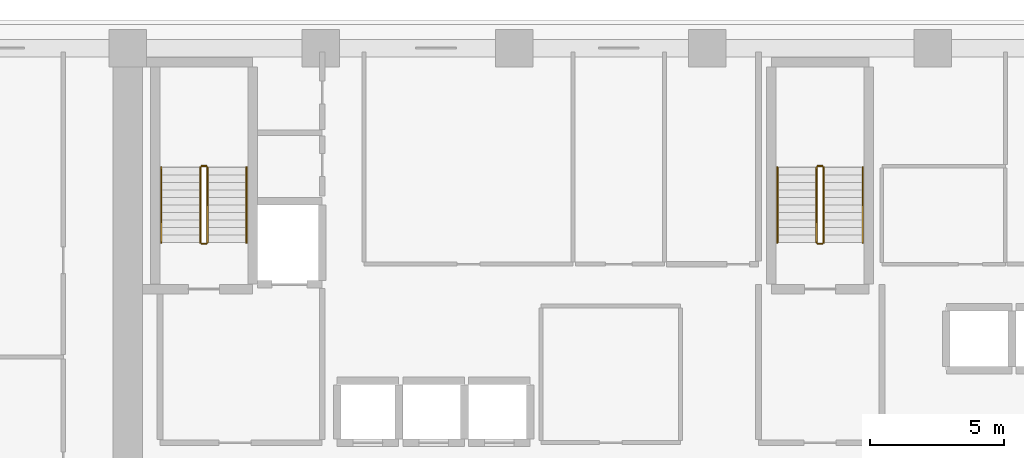
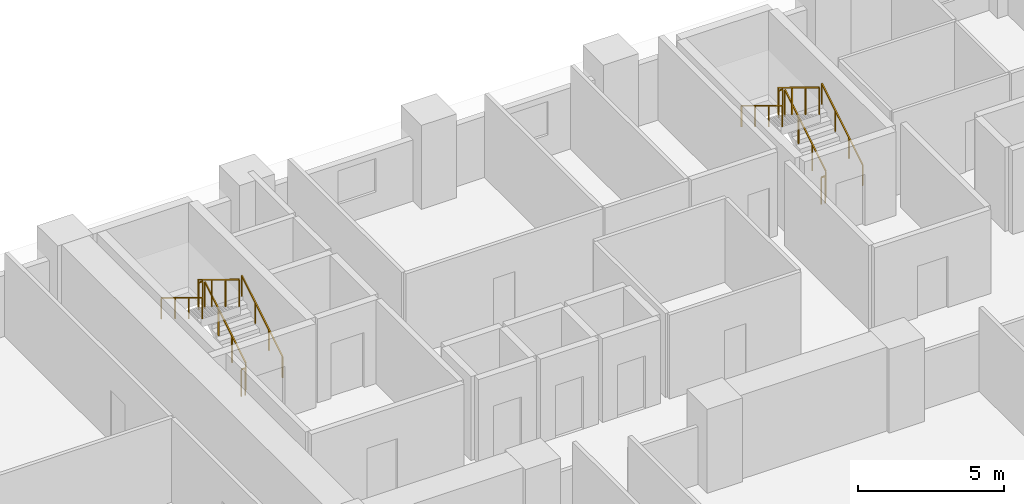
# One storey, part 13 of 15: 12 railings.
"""IFC4 building model written with IfcOpenShell, lengths in metres."""

from ifc_helpers import new_model, si_unit, direction, frame, origin, origin_2d, place, context, subcontext, project, spatial, rectangle, extrude, material, type_object, element, save


model = new_model("IFC4")

# Units and contexts
model_context = context("Model", 3, precision=1e-05, world=origin(), true_north=direction((0.0, 1.0)))
body_context = subcontext(model_context, "Body", "Model", "MODEL_VIEW")
ifc_project = project(units=[si_unit("LENGTHUNIT", "METRE"), si_unit("AREAUNIT", "SQUARE_METRE"), si_unit("VOLUMEUNIT", "CUBIC_METRE"), si_unit("PLANEANGLEUNIT", "RADIAN"), si_unit("MASSUNIT", "GRAM", prefix="KILO")], contexts=[model_context])

# Site, building, storey
site_placement = place(None, origin())
site = spatial("IfcSite", under=ifc_project, at=site_placement, CompositionType="ELEMENT")
building_placement = place(site_placement, origin())
building = spatial("IfcBuilding", under=site, at=building_placement, Name="Kaelvorn Grand Hotel", CompositionType="ELEMENT")
storey_placement = place(building_placement, frame((0.0, 0.0, 38.89990234375)))
storey = spatial("IfcBuildingStorey", under=building, at=storey_placement, Name="L07", CompositionType="ELEMENT", Elevation=38.89990234375)

# Railings
ifc_material = material(Name="Stainless Steel", Category="steel")
railing_type_1 = type_object("IfcRailingType", Name="RL-HANDRAIL-900", PredefinedType="HANDRAIL", material=ifc_material)
railing_1_placement = place(storey_placement, frame((20.6298828125, 41.760009765625, 0.170654296875)))
element("IfcRailing", 1, at=railing_1_placement, inside=storey, type_object=railing_type_1, Name="L07 ST1 stair handrail 1", PredefinedType="HANDRAIL", context=body_context, shape_type="SweptSolid", body=[
    extrude(rectangle(XDim=0.048095703125, YDim=0.048095703125, at=origin_2d()), frame((0.0, 0.0, 0.8759765625), z_axis=(0.0, 0.854202870247, 0.519939858505), x_axis=(-1.0, 0.0, 0.0)), (0.0, 0.0, 1.0), 3.278076171875),
    extrude(rectangle(XDim=0.0419921875, YDim=0.0419921875, at=origin_2d()), origin(), (0.0, 0.0, 1.0), 0.851806640625),
    extrude(rectangle(XDim=0.0419921875, YDim=0.0419921875, at=origin_2d()), frame((0.0, 0.933349609375, 0.568115234375)), (0.0, 0.0, 1.0), 0.851806640625),
    extrude(rectangle(XDim=0.0419921875, YDim=0.0419921875, at=origin_2d()), frame((0.0, 1.86669921875, 1.13623046875)), (0.0, 0.0, 1.0), 0.851806640625),
    extrude(rectangle(XDim=0.0419921875, YDim=0.0419921875, at=origin_2d()), frame((0.0, 2.800048828125, 1.704345703125)), (0.0, 0.0, 1.0), 0.851806640625),
])
railing_2_placement = place(storey_placement, frame((17.449951171875, 44.56005859375, 2.045654296875)))
element("IfcRailing", 2, at=railing_2_placement, inside=storey, type_object=railing_type_1, Name="L07 ST1 stair handrail 2", PredefinedType="HANDRAIL", context=body_context, shape_type="SweptSolid", body=[
    extrude(rectangle(XDim=0.048095703125, YDim=0.048095703125, at=origin_2d()), frame((0.0, 0.0, 0.8759765625), z_axis=(0.0, -0.854202870247, 0.519939858505), x_axis=(1.0, 0.0, 0.0)), (0.0, 0.0, 1.0), 3.278076171875),
    extrude(rectangle(XDim=0.0419921875, YDim=0.0419921875, at=origin_2d()), origin(), (0.0, 0.0, 1.0), 0.851806640625),
    extrude(rectangle(XDim=0.0419921875, YDim=0.0419921875, at=origin_2d()), frame((0.0, -0.933349609375, 0.568115234375)), (0.0, 0.0, 1.0), 0.851806640625),
    extrude(rectangle(XDim=0.0419921875, YDim=0.0419921875, at=origin_2d()), frame((0.0, -1.86669921875, 1.13623046875)), (0.0, 0.0, 1.0), 0.851806640625),
    extrude(rectangle(XDim=0.0419921875, YDim=0.0419921875, at=origin_2d()), frame((0.0, -2.800048828125, 1.704345703125)), (0.0, 0.0, 1.0), 0.851806640625),
])
railing_3_placement = place(storey_placement, frame((43.590087890625, 41.760009765625, 0.170654296875)))
element("IfcRailing", 3, at=railing_3_placement, inside=storey, type_object=railing_type_1, Name="L07 ST2 stair handrail 1", PredefinedType="HANDRAIL", context=body_context, shape_type="SweptSolid", body=[
    extrude(rectangle(XDim=0.048095703125, YDim=0.048095703125, at=origin_2d()), frame((0.0, 0.0, 0.8759765625), z_axis=(0.0, 0.854202870247, 0.519939858505), x_axis=(-1.0, 0.0, 0.0)), (0.0, 0.0, 1.0), 3.278076171875),
    extrude(rectangle(XDim=0.0419921875, YDim=0.0419921875, at=origin_2d()), origin(), (0.0, 0.0, 1.0), 0.851806640625),
    extrude(rectangle(XDim=0.0419921875, YDim=0.0419921875, at=origin_2d()), frame((0.0, 0.933349609375, 0.568115234375)), (0.0, 0.0, 1.0), 0.851806640625),
    extrude(rectangle(XDim=0.0419921875, YDim=0.0419921875, at=origin_2d()), frame((0.0, 1.86669921875, 1.13623046875)), (0.0, 0.0, 1.0), 0.851806640625),
    extrude(rectangle(XDim=0.0419921875, YDim=0.0419921875, at=origin_2d()), frame((0.0, 2.800048828125, 1.704345703125)), (0.0, 0.0, 1.0), 0.851806640625),
])
railing_4_placement = place(storey_placement, frame((40.409912109375, 44.56005859375, 2.045654296875)))
element("IfcRailing", 4, at=railing_4_placement, inside=storey, type_object=railing_type_1, Name="L07 ST2 stair handrail 2", PredefinedType="HANDRAIL", context=body_context, shape_type="SweptSolid", body=[
    extrude(rectangle(XDim=0.048095703125, YDim=0.048095703125, at=origin_2d()), frame((0.0, 0.0, 0.8759765625), z_axis=(0.0, -0.854202870247, 0.519939858505), x_axis=(1.0, 0.0, 0.0)), (0.0, 0.0, 1.0), 3.278076171875),
    extrude(rectangle(XDim=0.0419921875, YDim=0.0419921875, at=origin_2d()), origin(), (0.0, 0.0, 1.0), 0.851806640625),
    extrude(rectangle(XDim=0.0419921875, YDim=0.0419921875, at=origin_2d()), frame((0.0, -0.933349609375, 0.568115234375)), (0.0, 0.0, 1.0), 0.851806640625),
    extrude(rectangle(XDim=0.0419921875, YDim=0.0419921875, at=origin_2d()), frame((0.0, -1.86669921875, 1.13623046875)), (0.0, 0.0, 1.0), 0.851806640625),
    extrude(rectangle(XDim=0.0419921875, YDim=0.0419921875, at=origin_2d()), frame((0.0, -2.800048828125, 1.704345703125)), (0.0, 0.0, 1.0), 0.851806640625),
])
railing_type_2 = type_object("IfcRailingType", Name="RL-STAIR-GUARD-1150", PredefinedType="BALUSTRADE", material=ifc_material)
railing_5_placement = place(storey_placement, frame((19.169921875, 41.760009765625, 0.170654296875)))
element("IfcRailing", 5, at=railing_5_placement, inside=storey, type_object=railing_type_2, Name="L07 ST1 stair guard 1", PredefinedType="BALUSTRADE", context=body_context, shape_type="SweptSolid", body=[
    extrude(rectangle(XDim=0.048095703125, YDim=0.048095703125, at=origin_2d()), frame((0.0, 0.0, 1.1259765625), z_axis=(0.0, 0.854202870247, 0.519939858505), x_axis=(-1.0, 0.0, 0.0)), (0.0, 0.0, 1.0), 3.278076171875),
    extrude(rectangle(XDim=0.0419921875, YDim=0.0419921875, at=origin_2d()), origin(), (0.0, 0.0, 1.0), 1.101806640625),
    extrude(rectangle(XDim=0.0419921875, YDim=0.0419921875, at=origin_2d()), frame((0.0, 0.933349609375, 0.568115234375)), (0.0, 0.0, 1.0), 1.101806640625),
    extrude(rectangle(XDim=0.0419921875, YDim=0.0419921875, at=origin_2d()), frame((0.0, 1.86669921875, 1.13623046875)), (0.0, 0.0, 1.0), 1.101806640625),
    extrude(rectangle(XDim=0.0419921875, YDim=0.0419921875, at=origin_2d()), frame((0.0, 2.800048828125, 1.704345703125)), (0.0, 0.0, 1.0), 1.101806640625),
])
railing_6_placement = place(storey_placement, frame((19.1201171875, 44.610107421875, 1.875)))
element("IfcRailing", 6, at=railing_6_placement, inside=storey, type_object=railing_type_2, Name="L07 ST1 stair guard 2", PredefinedType="BALUSTRADE", context=body_context, shape_type="SweptSolid", body=[
    extrude(rectangle(XDim=0.048095703125, YDim=0.048095703125, at=origin_2d()), frame((0.0, 0.0, 1.1259765625), z_axis=(-1.0, 0.0, 0.0), x_axis=(0.0, -1.0, 0.0)), (0.0, 0.0, 1.0), 0.16015625),
    extrude(rectangle(XDim=0.0419921875, YDim=0.0419921875, at=origin_2d()), origin(), (0.0, 0.0, 1.0), 1.101806640625),
    extrude(rectangle(XDim=0.0419921875, YDim=0.0419921875, at=origin_2d()), frame((-0.16015625, 0.0, 0.0)), (0.0, 0.0, 1.0), 1.101806640625),
])
railing_7_placement = place(storey_placement, frame((18.909912109375, 44.56005859375, 2.045654296875)))
element("IfcRailing", 7, at=railing_7_placement, inside=storey, type_object=railing_type_2, Name="L07 ST1 stair guard 3", PredefinedType="BALUSTRADE", context=body_context, shape_type="SweptSolid", body=[
    extrude(rectangle(XDim=0.048095703125, YDim=0.048095703125, at=origin_2d()), frame((0.0, 0.0, 1.1259765625), z_axis=(0.0, -0.854202870247, 0.519939858505), x_axis=(1.0, 0.0, 0.0)), (0.0, 0.0, 1.0), 3.278076171875),
    extrude(rectangle(XDim=0.0419921875, YDim=0.0419921875, at=origin_2d()), origin(), (0.0, 0.0, 1.0), 1.101806640625),
    extrude(rectangle(XDim=0.0419921875, YDim=0.0419921875, at=origin_2d()), frame((0.0, -0.933349609375, 0.568115234375)), (0.0, 0.0, 1.0), 1.101806640625),
    extrude(rectangle(XDim=0.0419921875, YDim=0.0419921875, at=origin_2d()), frame((0.0, -1.86669921875, 1.13623046875)), (0.0, 0.0, 1.0), 1.101806640625),
    extrude(rectangle(XDim=0.0419921875, YDim=0.0419921875, at=origin_2d()), frame((0.0, -2.800048828125, 1.704345703125)), (0.0, 0.0, 1.0), 1.101806640625),
])
railing_8_placement = place(storey_placement, frame((19.1201171875, 41.7099609375, 0.0)))
element("IfcRailing", 8, at=railing_8_placement, inside=storey, type_object=railing_type_2, Name="L07 ST1 stair guard 4", PredefinedType="BALUSTRADE", context=body_context, shape_type="SweptSolid", body=[
    extrude(rectangle(XDim=0.048095703125, YDim=0.048095703125, at=origin_2d()), frame((0.0, 0.0, 1.1259765625), z_axis=(-1.0, 0.0, 0.0), x_axis=(0.0, -1.0, 0.0)), (0.0, 0.0, 1.0), 0.16015625),
    extrude(rectangle(XDim=0.0419921875, YDim=0.0419921875, at=origin_2d()), origin(), (0.0, 0.0, 1.0), 1.101806640625),
    extrude(rectangle(XDim=0.0419921875, YDim=0.0419921875, at=origin_2d()), frame((-0.16015625, 0.0, 0.0)), (0.0, 0.0, 1.0), 1.101806640625),
])
railing_9_placement = place(storey_placement, frame((42.1298828125, 41.760009765625, 0.170654296875)))
element("IfcRailing", 9, at=railing_9_placement, inside=storey, type_object=railing_type_2, Name="L07 ST2 stair guard 1", PredefinedType="BALUSTRADE", context=body_context, shape_type="SweptSolid", body=[
    extrude(rectangle(XDim=0.048095703125, YDim=0.048095703125, at=origin_2d()), frame((0.0, 0.0, 1.1259765625), z_axis=(0.0, 0.854202870247, 0.519939858505), x_axis=(-1.0, 0.0, 0.0)), (0.0, 0.0, 1.0), 3.278076171875),
    extrude(rectangle(XDim=0.0419921875, YDim=0.0419921875, at=origin_2d()), origin(), (0.0, 0.0, 1.0), 1.101806640625),
    extrude(rectangle(XDim=0.0419921875, YDim=0.0419921875, at=origin_2d()), frame((0.0, 0.933349609375, 0.568115234375)), (0.0, 0.0, 1.0), 1.101806640625),
    extrude(rectangle(XDim=0.0419921875, YDim=0.0419921875, at=origin_2d()), frame((0.0, 1.86669921875, 1.13623046875)), (0.0, 0.0, 1.0), 1.101806640625),
    extrude(rectangle(XDim=0.0419921875, YDim=0.0419921875, at=origin_2d()), frame((0.0, 2.800048828125, 1.704345703125)), (0.0, 0.0, 1.0), 1.101806640625),
])
railing_10_placement = place(storey_placement, frame((42.080078125, 44.610107421875, 1.875)))
element("IfcRailing", 10, at=railing_10_placement, inside=storey, type_object=railing_type_2, Name="L07 ST2 stair guard 2", PredefinedType="BALUSTRADE", context=body_context, shape_type="SweptSolid", body=[
    extrude(rectangle(XDim=0.048095703125, YDim=0.048095703125, at=origin_2d()), frame((0.0, 0.0, 1.1259765625), z_axis=(-1.0, 0.0, 0.0), x_axis=(0.0, -1.0, 0.0)), (0.0, 0.0, 1.0), 0.16015625),
    extrude(rectangle(XDim=0.0419921875, YDim=0.0419921875, at=origin_2d()), origin(), (0.0, 0.0, 1.0), 1.101806640625),
    extrude(rectangle(XDim=0.0419921875, YDim=0.0419921875, at=origin_2d()), frame((-0.16015625, 0.0, 0.0)), (0.0, 0.0, 1.0), 1.101806640625),
])
railing_11_placement = place(storey_placement, frame((41.8701171875, 44.56005859375, 2.045654296875)))
element("IfcRailing", 11, at=railing_11_placement, inside=storey, type_object=railing_type_2, Name="L07 ST2 stair guard 3", PredefinedType="BALUSTRADE", context=body_context, shape_type="SweptSolid", body=[
    extrude(rectangle(XDim=0.048095703125, YDim=0.048095703125, at=origin_2d()), frame((0.0, 0.0, 1.1259765625), z_axis=(0.0, -0.854202870247, 0.519939858505), x_axis=(1.0, 0.0, 0.0)), (0.0, 0.0, 1.0), 3.278076171875),
    extrude(rectangle(XDim=0.0419921875, YDim=0.0419921875, at=origin_2d()), origin(), (0.0, 0.0, 1.0), 1.101806640625),
    extrude(rectangle(XDim=0.0419921875, YDim=0.0419921875, at=origin_2d()), frame((0.0, -0.933349609375, 0.568115234375)), (0.0, 0.0, 1.0), 1.101806640625),
    extrude(rectangle(XDim=0.0419921875, YDim=0.0419921875, at=origin_2d()), frame((0.0, -1.86669921875, 1.13623046875)), (0.0, 0.0, 1.0), 1.101806640625),
    extrude(rectangle(XDim=0.0419921875, YDim=0.0419921875, at=origin_2d()), frame((0.0, -2.800048828125, 1.704345703125)), (0.0, 0.0, 1.0), 1.101806640625),
])
railing_12_placement = place(storey_placement, frame((42.080078125, 41.7099609375, 0.0)))
element("IfcRailing", 12, at=railing_12_placement, inside=storey, type_object=railing_type_2, Name="L07 ST2 stair guard 4", PredefinedType="BALUSTRADE", context=body_context, shape_type="SweptSolid", body=[
    extrude(rectangle(XDim=0.048095703125, YDim=0.048095703125, at=origin_2d()), frame((0.0, 0.0, 1.1259765625), z_axis=(-1.0, 0.0, 0.0), x_axis=(0.0, -1.0, 0.0)), (0.0, 0.0, 1.0), 0.16015625),
    extrude(rectangle(XDim=0.0419921875, YDim=0.0419921875, at=origin_2d()), origin(), (0.0, 0.0, 1.0), 1.101806640625),
    extrude(rectangle(XDim=0.0419921875, YDim=0.0419921875, at=origin_2d()), frame((-0.16015625, 0.0, 0.0)), (0.0, 0.0, 1.0), 1.101806640625),
])

save(model, "model.ifc")
